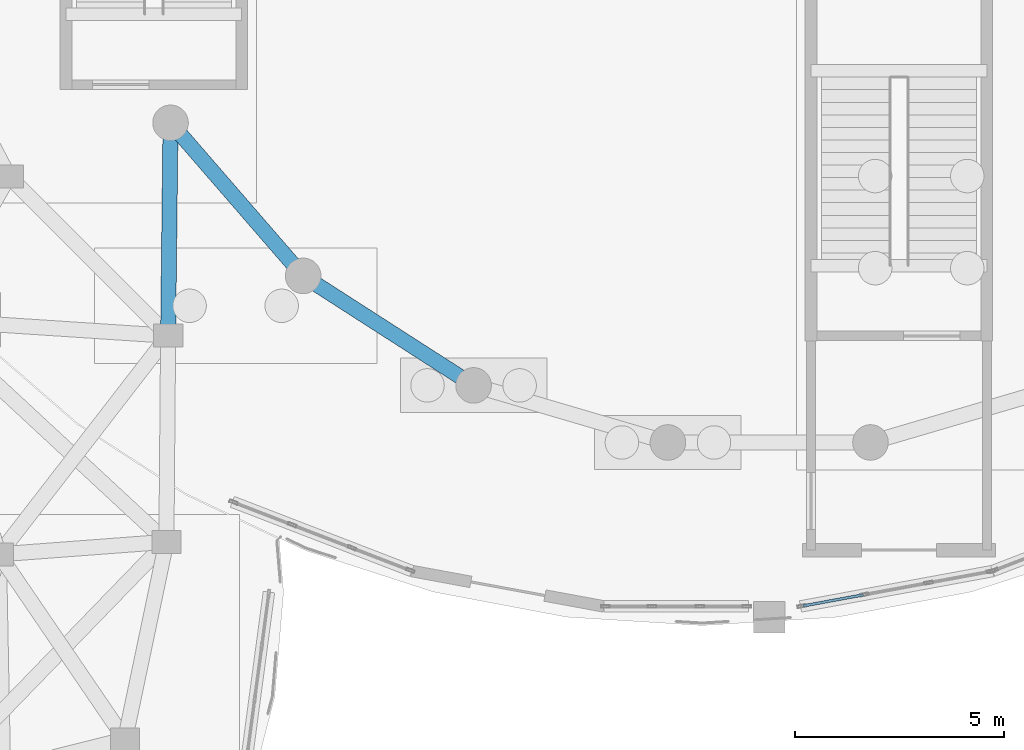
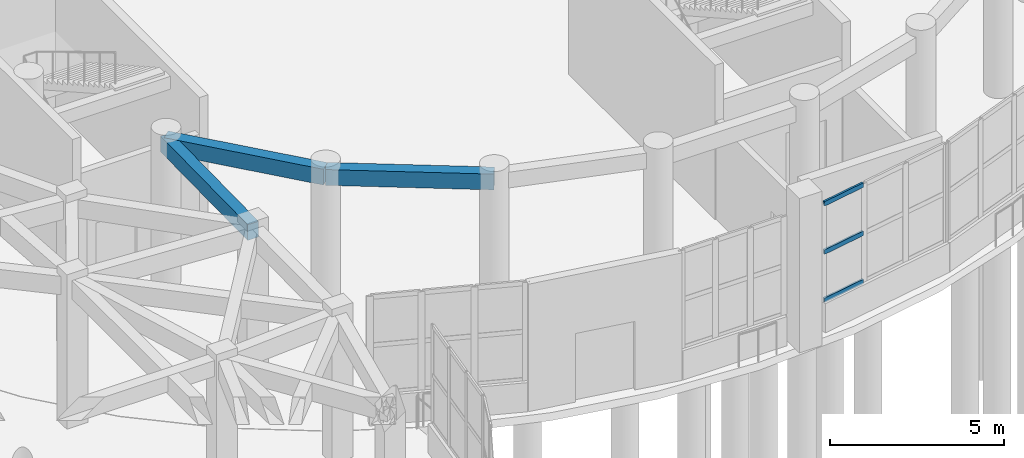
# One storey, part 26 of 96: 3 beams, 3 members, 1 element without a shape of its own.
"""IFC4 building model written with IfcOpenShell, lengths in metres."""

from ifc_helpers import new_model, si_unit, direction, frame, origin, origin_2d, place, context, subcontext, project, spatial, rectangle, hollow_rectangle, extrude, material, layer, layer_set, material_profile, profile_set, type_object, element, aggregate, save


model = new_model("IFC4")

# Units and contexts
model_context = context("Model", 3, precision=1e-05, world=origin(), true_north=direction((0.0, 1.0)))
body_context = subcontext(model_context, "Body", "Model", "MODEL_VIEW")
ifc_project = project(units=[si_unit("LENGTHUNIT", "METRE"), si_unit("AREAUNIT", "SQUARE_METRE"), si_unit("VOLUMEUNIT", "CUBIC_METRE"), si_unit("PLANEANGLEUNIT", "RADIAN"), si_unit("MASSUNIT", "GRAM", prefix="KILO")], contexts=[model_context])

# Site, building, storey
site_placement = place(None, origin())
site = spatial("IfcSite", under=ifc_project, at=site_placement, CompositionType="ELEMENT")
building_placement = place(site_placement, origin())
building = spatial("IfcBuilding", under=site, at=building_placement, Name="Pelvatis Terrace Science Centre", CompositionType="ELEMENT")
storey_placement = place(building_placement, origin())
storey = spatial("IfcBuildingStorey", under=building, at=storey_placement, Name="L00", CompositionType="ELEMENT", Elevation=0.0)

# Beams
ifc_material_1 = material(Name="Concrete C35/45", Category="concrete")
ifc_material_profile_1 = material_profile(ifc_material_1, rectangle(XDim=0.360107421875, YDim=0.550048828125, at=origin_2d()), Name="RC-BM 360x550")
ifc_profile_set_1 = profile_set([ifc_material_profile_1], Name="Concrete C35/45")
beam_type = type_object("IfcBeamType", Name="BM-RC-360x550", PredefinedType="BEAM", material=ifc_profile_set_1)
beam_1_placement = place(storey_placement, frame((63.69873046875, 45.4091796875, 4.864990234375), z_axis=(0.654849858597, -0.75575899776, 0.0), x_axis=(0.75575899776, 0.654849858597, 0.0)))
element("IfcBeam", 1, at=beam_1_placement, inside=storey, type_object=beam_type, Name="Beam BM-L00-2210", PredefinedType="BEAM", context=body_context, shape_type="SweptSolid", body=[
    extrude(rectangle(XDim=0.360107421875, YDim=0.550048828125, at=origin_2d()), origin(), (0.0, 0.0, 1.0), 4.8388671875),
])
beam_2_placement = place(storey_placement, frame((63.69873046875, 45.4091796875, 4.864990234375), z_axis=(-0.011375991937, -0.99993529131, 0.0), x_axis=(0.99993529131, -0.011375991937, 0.0)))
element("IfcBeam", 2, at=beam_2_placement, inside=storey, type_object=beam_type, Name="Beam BM-L00-2211", PredefinedType="BEAM", context=body_context, shape_type="SweptSolid", body=[
    extrude(rectangle(XDim=0.360107421875, YDim=0.550048828125, at=origin_2d()), origin(), (0.0, 0.0, 1.0), 5.086181640625),
])
beam_3_placement = place(storey_placement, frame((66.867431640625, 41.752197265625, 4.864990234375), z_axis=(0.841255517216, -0.540637729681, 0.0), x_axis=(0.540637729681, 0.841255517216, 0.0)))
element("IfcBeam", 3, at=beam_3_placement, inside=storey, type_object=beam_type, Name="Beam BM-L00-2212", PredefinedType="BEAM", context=body_context, shape_type="SweptSolid", body=[
    extrude(rectangle(XDim=0.360107421875, YDim=0.550048828125, at=origin_2d()), origin(), (0.0, 0.0, 1.0), 4.838623046875),
])

# Curtain wall, members
ifc_material_2 = material(Name="Bronze-anodised aluminium and laminated glass", Category="aluminium")
ifc_layer = layer(ifc_material_2, 0.199951171875)
ifc_layer_set = layer_set([ifc_layer], Name="Bronze-anodised aluminium and laminated glass")
curtain_wall_type = type_object("IfcCurtainWallType", Name="CW-RIBBON-B", PredefinedType="NOTDEFINED", material=ifc_layer_set)
curtain_wall_placement = place(storey_placement, origin())
curtain_wall = element("IfcCurtainWall", 4, at=curtain_wall_placement, inside=storey, type_object=curtain_wall_type, Name="Ribbon curtain wall CW-053 (L00)", PredefinedType="NOTDEFINED")
ifc_material_3 = material(Name="Bronze-anodised aluminium 6063-T6", Category="aluminium")
ifc_material_profile_2 = material_profile(ifc_material_3, hollow_rectangle(XDim=0.06494140625, YDim=0.159912109375, WallThickness=0.00390625, at=origin_2d()), Name="ALU-TRN 65x160")
ifc_profile_set_2 = profile_set([ifc_material_profile_2], Name="Bronze-anodised aluminium 6063-T6")
member_type = type_object("IfcMemberType", Name="CWT-65x160", PredefinedType="USERDEFINED", material=ifc_profile_set_2)
member_1_placement = place(storey_placement, frame((78.810546875, 33.8681640625, 1.052490234375), z_axis=(0.983430420841, 0.181285982259, 0.0), x_axis=(-0.181285982259, 0.983430420841, 0.0)))
member_1 = element("IfcMember", 5, at=member_1_placement, type_object=member_type, Name="CW-053 transom 1.1", ObjectType="TRANSOM", PredefinedType="USERDEFINED", context=body_context, shape_type="SweptSolid", body=[
    extrude(hollow_rectangle(XDim=0.06494140625, YDim=0.159912109375, WallThickness=0.00390625, at=origin_2d()), origin(), (0.0, 0.0, 1.0), 1.45849609375),
])
member_2_placement = place(storey_placement, frame((78.810546875, 33.8681640625, 2.739990234375), z_axis=(0.983430420841, 0.181285982259, 0.0), x_axis=(-0.181285982259, 0.983430420841, 0.0)))
member_2 = element("IfcMember", 6, at=member_2_placement, type_object=member_type, Name="CW-053 transom 1.2", ObjectType="TRANSOM", PredefinedType="USERDEFINED", context=body_context, shape_type="SweptSolid", body=[
    extrude(hollow_rectangle(XDim=0.06494140625, YDim=0.159912109375, WallThickness=0.00390625, at=origin_2d()), origin(), (0.0, 0.0, 1.0), 1.45849609375),
])
member_3_placement = place(storey_placement, frame((78.810546875, 33.8681640625, 4.427490234375), z_axis=(0.983430420841, 0.181285982259, 0.0), x_axis=(-0.181285982259, 0.983430420841, 0.0)))
member_3 = element("IfcMember", 7, at=member_3_placement, type_object=member_type, Name="CW-053 transom 1.3", ObjectType="TRANSOM", PredefinedType="USERDEFINED", context=body_context, shape_type="SweptSolid", body=[
    extrude(hollow_rectangle(XDim=0.06494140625, YDim=0.159912109375, WallThickness=0.00390625, at=origin_2d()), origin(), (0.0, 0.0, 1.0), 1.45849609375),
])
aggregate(curtain_wall, [member_1, member_2, member_3])

save(model, "model.ifc")
